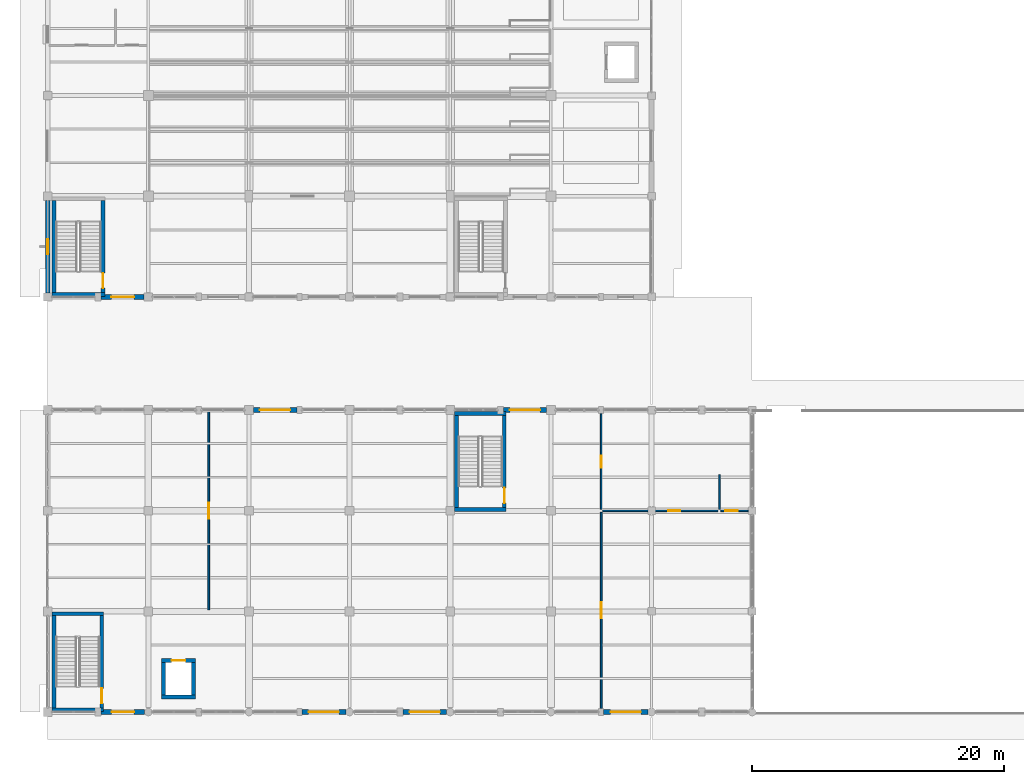
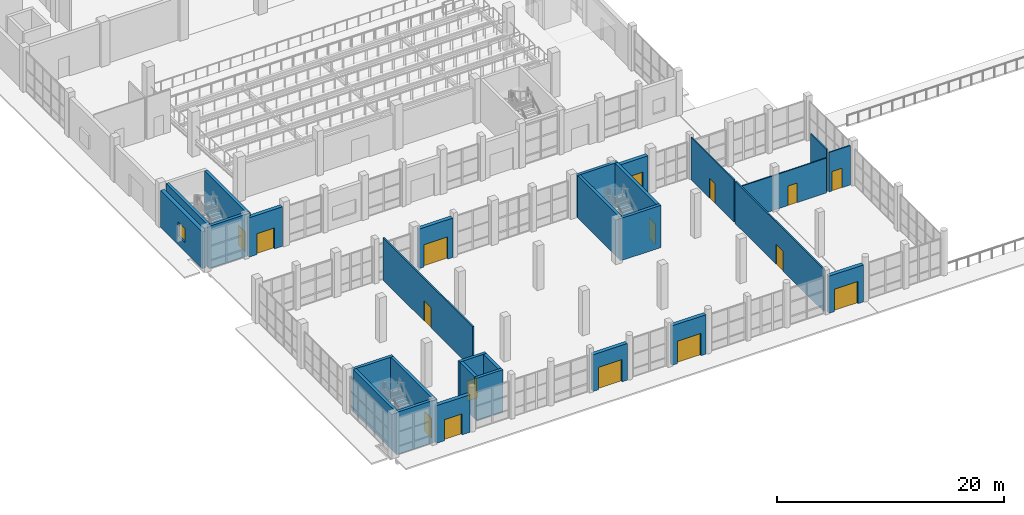
# One storey, part 120 of 156: 29 walls, 16 doors, 1 window, 17 openings.
"""IFC4 building model written with IfcOpenShell, lengths in metres."""

from ifc_helpers import new_model, si_unit, direction, frame, frame_2d, origin, place, context, subcontext, project, spatial, rectangle, extrude, material, layer, layer_set, type_object, element, fill, save


model = new_model("IFC4")

# Units and contexts
model_context = context("Model", 3, precision=1e-05, world=origin(), true_north=direction((0.0, 1.0)))
body_context = subcontext(model_context, "Body", "Model", "MODEL_VIEW")
ifc_project = project(units=[si_unit("LENGTHUNIT", "METRE"), si_unit("AREAUNIT", "SQUARE_METRE"), si_unit("VOLUMEUNIT", "CUBIC_METRE"), si_unit("PLANEANGLEUNIT", "RADIAN"), si_unit("MASSUNIT", "GRAM", prefix="KILO")], contexts=[model_context])

# Site, building, storey
site_placement = place(None, origin())
site = spatial("IfcSite", under=ifc_project, at=site_placement, CompositionType="ELEMENT")
building_placement = place(site_placement, origin())
building = spatial("IfcBuilding", under=site, at=building_placement, Name="Luwemba Playhouse", CompositionType="ELEMENT")
storey_placement = place(building_placement, origin())
storey = spatial("IfcBuildingStorey", under=building, at=storey_placement, Name="L00", CompositionType="ELEMENT", Elevation=0.0)

# Wall, opening, window
ifc_material_1 = material(Name="Clay facing brick obra vista masonry", Category="masonry")
ifc_layer_1 = layer(ifc_material_1, 0.3798828125)
ifc_layer_set_1 = layer_set([ifc_layer_1], Name="Clay facing brick obra vista masonry")
wall_type_1 = type_object("IfcWallType", Name="WAL-BRK-380", PredefinedType="SOLIDWALL", material=ifc_layer_set_1)
wall_1_placement = place(storey_placement, frame((4.0, 36.324951171875, 0.0), z_axis=(0.0, 0.0, 1.0), x_axis=(0.0, 1.0, 0.0)))
wall_1 = element("IfcWall", 1, at=wall_1_placement, inside=storey, type_object=wall_type_1, Name="L00 V1 exterior facade wall 0003", PredefinedType="SOLIDWALL", context=body_context, shape_type="SweptSolid", body=[
    extrude(rectangle(XDim=7.35009765625, YDim=0.3798828125, at=frame_2d((3.675048828125, 0.0))), origin(), (0.0, 0.0, 1.0), 3.985107421875),
])
opening_1_placement = place(wall_1_placement, frame((3.074951171875, 0.0, 0.949951171875)))
opening_1 = element("IfcOpeningElement", 2, at=opening_1_placement, cuts=wall_1, Name="Opening WN-08", PredefinedType="OPENING", context=body_context, shape_type="SweptSolid", body=[
    extrude(rectangle(XDim=1.199951171875, YDim=1.5, at=frame_2d((0.60009765625, 0.75))), frame((0.0, 0.199951171875, 0.0), z_axis=(0.0, -1.0, 0.0), x_axis=(1.0, 0.0, 0.0)), (0.0, 0.0, 1.0), 0.39990234375),
])
ifc_material_2 = material(Name="Solar-control double glazing in aluminium frame", Category="aluminium")
window_type = type_object("IfcWindowType", Name="WIN-WN-08", PartitioningType="SINGLE_PANEL", PredefinedType="WINDOW", material=ifc_material_2)
window_placement = place(opening_1_placement, origin())
window = element("IfcWindow", 3, at=window_placement, inside=storey, type_object=window_type, Name="L00 V1 scheduled window 0001", OverallHeight=1.5, OverallWidth=1.199951171875, PartitioningType="SINGLE_PANEL", PredefinedType="WINDOW", context=body_context, shape_type="SweptSolid", body=[
    extrude(rectangle(XDim=1.199951171875, YDim=1.5, at=frame_2d((0.60009765625, 0.75))), frame((0.0, 0.030029296875, 0.0), z_axis=(0.0, -1.0, 0.0), x_axis=(1.0, 0.0, 0.0)), (0.0, 0.0, 1.0), 0.06005859375),
])
fill(opening_1, window)

# Wall, opening, door
wall_2_placement = place(storey_placement, frame((11.675048828125, 36.0, 0.0), z_axis=(0.0, 0.0, 1.0), x_axis=(-1.0, 0.0, 0.0)))
wall_2 = element("IfcWall", 4, at=wall_2_placement, inside=storey, type_object=wall_type_1, Name="L00 V1 exterior facade wall 0013", PredefinedType="SOLIDWALL", context=body_context, shape_type="SweptSolid", body=[
    extrude(rectangle(XDim=3.425048828125, YDim=0.3798828125, at=frame_2d((1.71240234375, 0.0))), origin(), (0.0, 0.0, 1.0), 4.235107421875),
])
opening_2_placement = place(wall_2_placement, frame((0.8125, 0.0, 0.0)))
opening_2 = element("IfcOpeningElement", 5, at=opening_2_placement, cuts=wall_2, Name="Opening E15", PredefinedType="OPENING", context=body_context, shape_type="SweptSolid", body=[
    extrude(rectangle(XDim=1.800048828125, YDim=2.25, at=frame_2d((0.89990234375, 1.125))), frame((0.0, 0.199951171875, 0.0), z_axis=(0.0, -1.0, 0.0), x_axis=(1.0, 0.0, 0.0)), (0.0, 0.0, 1.0), 0.39990234375),
])
ifc_material_3 = material(Name="Architectural bronze-anodised aluminium and glazed leaf", Category="aluminium")
door_type_1 = type_object("IfcDoorType", Name="DR-EXIT-180", OperationType="NOTDEFINED", PredefinedType="DOOR", material=ifc_material_3)
door_1_placement = place(opening_2_placement, origin())
door_1 = element("IfcDoor", 6, at=door_1_placement, inside=storey, type_object=door_type_1, Name="Stair ST-01 final exit discharge door", OperationType="DOUBLE_DOOR_SINGLE_SWING", OverallHeight=2.25, OverallWidth=1.800048828125, PredefinedType="DOOR", context=body_context, shape_type="SweptSolid", body=[
    extrude(rectangle(XDim=1.800048828125, YDim=2.25, at=frame_2d((0.89990234375, 1.125))), frame((0.0, 0.02490234375, 0.0), z_axis=(0.0, -1.0, 0.0), x_axis=(1.0, 0.0, 0.0)), (0.0, 0.0, 1.0), 0.050048828125),
])
fill(opening_2, door_1)

wall_3_placement = place(storey_placement, frame((20.35009765625, 27.0, 0.0), z_axis=(0.0, 0.0, 1.0), x_axis=(1.0, 0.0, 0.0)))
wall_3 = element("IfcWall", 7, at=wall_3_placement, inside=storey, type_object=wall_type_1, Name="L00 V5W exterior facade wall 0069", PredefinedType="SOLIDWALL", context=body_context, shape_type="SweptSolid", body=[
    extrude(rectangle(XDim=3.449951171875, YDim=0.3798828125, at=frame_2d((1.72509765625, 0.0))), origin(), (0.0, 0.0, 1.0), 4.235107421875),
])
opening_3_placement = place(wall_3_placement, frame((0.52490234375, 0.0, 0.0)))
opening_3 = element("IfcOpeningElement", 8, at=opening_3_placement, cuts=wall_3, Name="Opening E04", PredefinedType="OPENING", context=body_context, shape_type="SweptSolid", body=[
    extrude(rectangle(XDim=2.39990234375, YDim=2.39990234375, at=frame_2d((1.199951171875, 1.199951171875))), frame((0.0, 0.199951171875, 0.0), z_axis=(0.0, -1.0, 0.0), x_axis=(1.0, 0.0, 0.0)), (0.0, 0.0, 1.0), 0.39990234375),
])
door_type_2 = type_object("IfcDoorType", Name="DR-EXIT-240", OperationType="NOTDEFINED", PredefinedType="DOOR", material=ifc_material_3)
door_2_placement = place(opening_3_placement, origin())
door_2 = element("IfcDoor", 9, at=door_2_placement, inside=storey, type_object=door_type_2, Name="Grand Foyer cloister final exit E04", OperationType="DOUBLE_DOOR_SINGLE_SWING", OverallHeight=2.39990234375, OverallWidth=2.39990234375, PredefinedType="DOOR", context=body_context, shape_type="SweptSolid", body=[
    extrude(rectangle(XDim=2.39990234375, YDim=2.39990234375, at=frame_2d((1.199951171875, 1.199951171875))), frame((0.0, 0.02490234375, 0.0), z_axis=(0.0, -1.0, 0.0), x_axis=(1.0, 0.0, 0.0)), (0.0, 0.0, 1.0), 0.050048828125),
])
fill(opening_3, door_2)

wall_4_placement = place(storey_placement, frame((40.22509765625, 27.0, 0.0), z_axis=(0.0, 0.0, 1.0), x_axis=(1.0, 0.0, 0.0)))
wall_4 = element("IfcWall", 10, at=wall_4_placement, inside=storey, type_object=wall_type_1, Name="L00 V5W exterior facade wall 0070", PredefinedType="SOLIDWALL", context=body_context, shape_type="SweptSolid", body=[
    extrude(rectangle(XDim=3.4248046875, YDim=0.3798828125, at=frame_2d((1.71240234375, 0.0))), origin(), (0.0, 0.0, 1.0), 3.985107421875),
])
opening_4_placement = place(wall_4_placement, frame((0.512451171875, 0.0, 0.0)))
opening_4 = element("IfcOpeningElement", 11, at=opening_4_placement, cuts=wall_4, Name="Opening E25", PredefinedType="OPENING", context=body_context, shape_type="SweptSolid", body=[
    extrude(rectangle(XDim=2.39990234375, YDim=2.39990234375, at=frame_2d((1.199951171875, 1.199951171875))), frame((0.0, 0.199951171875, 0.0), z_axis=(0.0, -1.0, 0.0), x_axis=(1.0, 0.0, 0.0)), (0.0, 0.0, 1.0), 0.39990234375),
])
door_3_placement = place(opening_4_placement, origin())
door_3 = element("IfcDoor", 12, at=door_3_placement, inside=storey, type_object=door_type_2, Name="Grand Foyer north cloister final exit E25", OperationType="DOUBLE_DOOR_SINGLE_SWING", OverallHeight=2.39990234375, OverallWidth=2.39990234375, PredefinedType="DOOR", context=body_context, shape_type="SweptSolid", body=[
    extrude(rectangle(XDim=2.39990234375, YDim=2.39990234375, at=frame_2d((1.199951171875, 1.199951171875))), frame((0.0, 0.02490234375, 0.0), z_axis=(0.0, -1.0, 0.0), x_axis=(1.0, 0.0, 0.0)), (0.0, 0.0, 1.0), 0.050048828125),
])
fill(opening_4, door_3)

wall_5_placement = place(storey_placement, frame((51.699951171875, 3.0, 0.0), z_axis=(0.0, 0.0, 1.0), x_axis=(-1.0, 0.0, 0.0)))
wall_5 = element("IfcWall", 13, at=wall_5_placement, inside=storey, type_object=wall_type_1, Name="L00 V5W exterior facade wall 0071", PredefinedType="SOLIDWALL", context=body_context, shape_type="SweptSolid", body=[
    extrude(rectangle(XDim=3.5, YDim=0.3798828125, at=frame_2d((1.75, 0.0))), origin(), (0.0, 0.0, 1.0), 3.985107421875),
])
opening_5_placement = place(wall_5_placement, frame((0.550048828125, 0.0, 0.0)))
opening_5 = element("IfcOpeningElement", 14, at=opening_5_placement, cuts=wall_5, Name="Opening E03", PredefinedType="OPENING", context=body_context, shape_type="SweptSolid", body=[
    extrude(rectangle(XDim=2.39990234375, YDim=2.39990234375, at=frame_2d((1.199951171875, 1.199951171875))), frame((0.0, 0.199951171875, 0.0), z_axis=(0.0, -1.0, 0.0), x_axis=(1.0, 0.0, 0.0)), (0.0, 0.0, 1.0), 0.39990234375),
])
door_4_placement = place(opening_5_placement, origin())
door_4 = element("IfcDoor", 15, at=door_4_placement, inside=storey, type_object=door_type_2, Name="Grand Foyer south boulevard final exit E03", OperationType="DOUBLE_DOOR_SINGLE_SWING", OverallHeight=2.39990234375, OverallWidth=2.39990234375, PredefinedType="DOOR", context=body_context, shape_type="SweptSolid", body=[
    extrude(rectangle(XDim=2.39990234375, YDim=2.39990234375, at=frame_2d((1.199951171875, 1.199951171875))), frame((0.0, 0.02490234375, 0.0), z_axis=(0.0, -1.0, 0.0), x_axis=(1.0, 0.0, 0.0)), (0.0, 0.0, 1.0), 0.050048828125),
])
fill(opening_5, door_4)

wall_6_placement = place(storey_placement, frame((35.699951171875, 3.0, 0.0), z_axis=(0.0, 0.0, 1.0), x_axis=(-1.0, 0.0, 0.0)))
wall_6 = element("IfcWall", 16, at=wall_6_placement, inside=storey, type_object=wall_type_1, Name="L00 V5W exterior facade wall 0072", PredefinedType="SOLIDWALL", context=body_context, shape_type="SweptSolid", body=[
    extrude(rectangle(XDim=3.449951171875, YDim=0.3798828125, at=frame_2d((1.72509765625, 0.0))), origin(), (0.0, 0.0, 1.0), 4.235107421875),
])
opening_6_placement = place(wall_6_placement, frame((0.52490234375, 0.0, 0.0)))
opening_6 = element("IfcOpeningElement", 17, at=opening_6_placement, cuts=wall_6, Name="Opening E02", PredefinedType="OPENING", context=body_context, shape_type="SweptSolid", body=[
    extrude(rectangle(XDim=2.39990234375, YDim=2.39990234375, at=frame_2d((1.199951171875, 1.199951171875))), frame((0.0, 0.199951171875, 0.0), z_axis=(0.0, -1.0, 0.0), x_axis=(1.0, 0.0, 0.0)), (0.0, 0.0, 1.0), 0.39990234375),
])
door_5_placement = place(opening_6_placement, origin())
door_5 = element("IfcDoor", 18, at=door_5_placement, inside=storey, type_object=door_type_2, Name="Grand Foyer main entrance E02", OperationType="DOUBLE_DOOR_SINGLE_SWING", OverallHeight=2.39990234375, OverallWidth=2.39990234375, PredefinedType="DOOR", context=body_context, shape_type="SweptSolid", body=[
    extrude(rectangle(XDim=2.39990234375, YDim=2.39990234375, at=frame_2d((1.199951171875, 1.199951171875))), frame((0.0, 0.02490234375, 0.0), z_axis=(0.0, -1.0, 0.0), x_axis=(1.0, 0.0, 0.0)), (0.0, 0.0, 1.0), 0.050048828125),
])
fill(opening_6, door_5)

wall_7_placement = place(storey_placement, frame((27.699951171875, 3.0, 0.0), z_axis=(0.0, 0.0, 1.0), x_axis=(-1.0, 0.0, 0.0)))
wall_7 = element("IfcWall", 19, at=wall_7_placement, inside=storey, type_object=wall_type_1, Name="L00 V5W exterior facade wall 0073", PredefinedType="SOLIDWALL", context=body_context, shape_type="SweptSolid", body=[
    extrude(rectangle(XDim=3.5, YDim=0.3798828125, at=frame_2d((1.75, 0.0))), origin(), (0.0, 0.0, 1.0), 3.93505859375),
])
opening_7_placement = place(wall_7_placement, frame((0.550048828125, 0.0, 0.0)))
opening_7 = element("IfcOpeningElement", 20, at=opening_7_placement, cuts=wall_7, Name="Opening E01", PredefinedType="OPENING", context=body_context, shape_type="SweptSolid", body=[
    extrude(rectangle(XDim=2.39990234375, YDim=2.39990234375, at=frame_2d((1.199951171875, 1.199951171875))), frame((0.0, 0.199951171875, 0.0), z_axis=(0.0, -1.0, 0.0), x_axis=(1.0, 0.0, 0.0)), (0.0, 0.0, 1.0), 0.39990234375),
])
door_6_placement = place(opening_7_placement, origin())
door_6 = element("IfcDoor", 21, at=door_6_placement, inside=storey, type_object=door_type_2, Name="Grand Foyer main entrance E01", OperationType="DOUBLE_DOOR_SINGLE_SWING", OverallHeight=2.39990234375, OverallWidth=2.39990234375, PredefinedType="DOOR", context=body_context, shape_type="SweptSolid", body=[
    extrude(rectangle(XDim=2.39990234375, YDim=2.39990234375, at=frame_2d((1.199951171875, 1.199951171875))), frame((0.0, 0.02490234375, 0.0), z_axis=(0.0, -1.0, 0.0), x_axis=(1.0, 0.0, 0.0)), (0.0, 0.0, 1.0), 0.050048828125),
])
fill(opening_7, door_6)

wall_8_placement = place(storey_placement, frame((11.699951171875, 3.0, 0.0), z_axis=(0.0, 0.0, 1.0), x_axis=(-1.0, 0.0, 0.0)))
wall_8 = element("IfcWall", 22, at=wall_8_placement, inside=storey, type_object=wall_type_1, Name="L00 V5W exterior facade wall 0074", PredefinedType="SOLIDWALL", context=body_context, shape_type="SweptSolid", body=[
    extrude(rectangle(XDim=3.449951171875, YDim=0.3798828125, at=frame_2d((1.72509765625, 0.0))), origin(), (0.0, 0.0, 1.0), 4.034912109375),
])
opening_8_placement = place(wall_8_placement, frame((0.824951171875, 0.0, 0.0)))
opening_8 = element("IfcOpeningElement", 23, at=opening_8_placement, cuts=wall_8, Name="Opening E18", PredefinedType="OPENING", context=body_context, shape_type="SweptSolid", body=[
    extrude(rectangle(XDim=1.800048828125, YDim=2.25, at=frame_2d((0.89990234375, 1.125))), frame((0.0, 0.199951171875, 0.0), z_axis=(0.0, -1.0, 0.0), x_axis=(1.0, 0.0, 0.0)), (0.0, 0.0, 1.0), 0.39990234375),
])
door_7_placement = place(opening_8_placement, origin())
door_7 = element("IfcDoor", 24, at=door_7_placement, inside=storey, type_object=door_type_1, Name="Stair ST-04 final exit discharge door", OperationType="DOUBLE_DOOR_SINGLE_SWING", OverallHeight=2.25, OverallWidth=1.800048828125, PredefinedType="DOOR", context=body_context, shape_type="SweptSolid", body=[
    extrude(rectangle(XDim=1.800048828125, YDim=2.25, at=frame_2d((0.89990234375, 1.125))), frame((0.0, 0.02490234375, 0.0), z_axis=(0.0, -1.0, 0.0), x_axis=(1.0, 0.0, 0.0)), (0.0, 0.0, 1.0), 0.050048828125),
])
fill(opening_8, door_7)

# Walls
ifc_material_4 = material(Name="Concrete C40/50", Category="concrete")
ifc_layer_2 = layer(ifc_material_4, 0.300048828125)
ifc_layer_set_2 = layer_set([ifc_layer_2], Name="Concrete C40/50")
wall_type_2 = type_object("IfcWallType", Name="WAL-CORE-300", PredefinedType="SHEAR", material=ifc_layer_set_2)
wall_9_placement = place(storey_placement, frame((4.35009765625, 36.18994140625, 0.0), z_axis=(0.0, 0.0, 1.0), x_axis=(1.0, 0.0, 0.0)))
element("IfcWall", 25, at=wall_9_placement, inside=storey, type_object=wall_type_2, Name="L00 ST-01 stair core wall S", PredefinedType="SHEAR", context=body_context, shape_type="SweptSolid", body=[
    extrude(rectangle(XDim=4.199951171875, YDim=0.300048828125, at=frame_2d((2.10009765625, 0.0))), origin(), (0.0, 0.0, 1.0), 4.550048828125),
])
wall_10_placement = place(storey_placement, frame((4.5, 36.340087890625, 0.0), z_axis=(0.0, 0.0, 1.0), x_axis=(0.0, 1.0, 0.0)))
element("IfcWall", 26, at=wall_10_placement, inside=storey, type_object=wall_type_2, Name="L00 ST-01 stair core wall W", PredefinedType="SHEAR", context=body_context, shape_type="SweptSolid", body=[
    extrude(rectangle(XDim=7.31982421875, YDim=0.300048828125, at=frame_2d((3.659912109375, 0.0))), origin(), (0.0, 0.0, 1.0), 4.550048828125),
])

# Wall, opening, door
wall_11_placement = place(storey_placement, frame((8.39990234375, 43.659912109375, 0.0), z_axis=(0.0, 0.0, 1.0), x_axis=(0.0, -1.0, 0.0)))
wall_11 = element("IfcWall", 27, at=wall_11_placement, inside=storey, type_object=wall_type_2, Name="L00 ST-01 stair core wall E", PredefinedType="SHEAR", context=body_context, shape_type="SweptSolid", body=[
    extrude(rectangle(XDim=7.31982421875, YDim=0.300048828125, at=frame_2d((3.659912109375, 0.0))), origin(), (0.0, 0.0, 1.0), 4.550048828125),
])
opening_9_placement = place(wall_11_placement, frame((5.77001953125, 0.0, 0.0)))
opening_9 = element("IfcOpeningElement", 28, at=opening_9_placement, cuts=wall_11, Name="Opening D-STAIR3", PredefinedType="OPENING", context=body_context, shape_type="SweptSolid", body=[
    extrude(rectangle(XDim=1.199951171875, YDim=2.14990234375, at=frame_2d((0.60009765625, 1.074951171875))), frame((0.0, 0.159912109375, 0.0), z_axis=(0.0, -1.0, 0.0), x_axis=(1.0, 0.0, 0.0)), (0.0, 0.0, 1.0), 0.320068359375),
])
ifc_material_5 = material(Name="Hardwood acoustic fire door leaf", Category="wood")
door_type_3 = type_object("IfcDoorType", Name="DR-STAIR-120", OperationType="NOTDEFINED", PredefinedType="DOOR", material=ifc_material_5)
door_8_placement = place(opening_9_placement, origin())
door_8 = element("IfcDoor", 29, at=door_8_placement, inside=storey, type_object=door_type_3, Name="L00 ST-01 protected stair entry door", OperationType="SINGLE_SWING_LEFT", OverallHeight=2.14990234375, OverallWidth=1.199951171875, PredefinedType="DOOR", context=body_context, shape_type="SweptSolid", body=[
    extrude(rectangle(XDim=1.199951171875, YDim=2.14990234375, at=frame_2d((0.60009765625, 1.074951171875))), frame((0.0, 0.02490234375, 0.0), z_axis=(0.0, -1.0, 0.0), x_axis=(1.0, 0.0, 0.0)), (0.0, 0.0, 1.0), 0.050048828125),
])
fill(opening_9, door_8)

# Walls
for number, where, z_axis, x_axis, name in (
    (30, (4.35009765625, 3.18994140625, 0.0), (0.0, 0.0, 1.0), (1.0, 0.0, 0.0), "L00 ST-04 stair core wall S"),
    (31, (8.449951171875, 10.81005859375, 0.0), (0.0, 0.0, 1.0), (-1.0, 0.0, 0.0), "L00 ST-04 stair core wall N"),
):
    element("IfcWall", number, at=place(storey_placement, frame(where, z_axis=z_axis, x_axis=x_axis)), inside=storey, type_object=wall_type_2, Name=name, PredefinedType="SHEAR", context=body_context, shape_type="SweptSolid", body=[
        extrude(rectangle(XDim=4.099853515625, YDim=0.300048828125, at=frame_2d((2.0498046875, 0.0))), origin(), (0.0, 0.0, 1.0), 4.550048828125),
    ])
wall_12_placement = place(storey_placement, frame((4.5, 3.340087890625, 0.0), z_axis=(0.0, 0.0, 1.0), x_axis=(0.0, 1.0, 0.0)))
element("IfcWall", 32, at=wall_12_placement, inside=storey, type_object=wall_type_2, Name="L00 ST-04 stair core wall W", PredefinedType="SHEAR", context=body_context, shape_type="SweptSolid", body=[
    extrude(rectangle(XDim=7.31982421875, YDim=0.300048828125, at=frame_2d((3.659912109375, 0.0))), origin(), (0.0, 0.0, 1.0), 4.550048828125),
])

# Wall, opening, door
wall_13_placement = place(storey_placement, frame((8.300048828125, 10.659912109375, 0.0), z_axis=(0.0, 0.0, 1.0), x_axis=(0.0, -1.0, 0.0)))
wall_13 = element("IfcWall", 33, at=wall_13_placement, inside=storey, type_object=wall_type_2, Name="L00 ST-04 stair core wall E", PredefinedType="SHEAR", context=body_context, shape_type="SweptSolid", body=[
    extrude(rectangle(XDim=7.31982421875, YDim=0.300048828125, at=frame_2d((3.659912109375, 0.0))), origin(), (0.0, 0.0, 1.0), 4.550048828125),
])
opening_10_placement = place(wall_13_placement, frame((5.77001953125, 0.0, 0.0)))
opening_10 = element("IfcOpeningElement", 34, at=opening_10_placement, cuts=wall_13, Name="Opening D-STAIR3", PredefinedType="OPENING", context=body_context, shape_type="SweptSolid", body=[
    extrude(rectangle(XDim=1.199951171875, YDim=2.14990234375, at=frame_2d((0.60009765625, 1.074951171875))), frame((0.0, 0.159912109375, 0.0), z_axis=(0.0, -1.0, 0.0), x_axis=(1.0, 0.0, 0.0)), (0.0, 0.0, 1.0), 0.320068359375),
])
door_9_placement = place(opening_10_placement, origin())
door_9 = element("IfcDoor", 35, at=door_9_placement, inside=storey, type_object=door_type_3, Name="L00 ST-04 protected stair entry door", OperationType="SINGLE_SWING_RIGHT", OverallHeight=2.14990234375, OverallWidth=1.199951171875, PredefinedType="DOOR", context=body_context, shape_type="SweptSolid", body=[
    extrude(rectangle(XDim=1.199951171875, YDim=2.14990234375, at=frame_2d((0.60009765625, 1.074951171875))), frame((0.0, 0.02490234375, 0.0), z_axis=(0.0, -1.0, 0.0), x_axis=(1.0, 0.0, 0.0)), (0.0, 0.0, 1.0), 0.050048828125),
])
fill(opening_10, door_9)

# Walls
for number, where, z_axis, x_axis, name in (
    (36, (36.35009765625, 19.110107421875, 0.0), (0.0, 0.0, 1.0), (1.0, 0.0, 0.0), "L00 ST-13 stair core wall S"),
    (37, (40.449951171875, 26.72998046875, 0.0), (0.0, 0.0, 1.0), (-1.0, 0.0, 0.0), "L00 ST-13 stair core wall N"),
):
    element("IfcWall", number, at=place(storey_placement, frame(where, z_axis=z_axis, x_axis=x_axis)), inside=storey, type_object=wall_type_2, Name=name, PredefinedType="SHEAR", context=body_context, shape_type="SweptSolid", body=[
        extrude(rectangle(XDim=4.099853515625, YDim=0.300048828125, at=frame_2d((2.0498046875, 0.0))), origin(), (0.0, 0.0, 1.0), 4.550048828125),
    ])
wall_14_placement = place(storey_placement, frame((36.5, 19.260009765625, 0.0), z_axis=(0.0, 0.0, 1.0), x_axis=(0.0, 1.0, 0.0)))
element("IfcWall", 38, at=wall_14_placement, inside=storey, type_object=wall_type_2, Name="L00 ST-13 stair core wall W", PredefinedType="SHEAR", context=body_context, shape_type="SweptSolid", body=[
    extrude(rectangle(XDim=7.320068359375, YDim=0.300048828125, at=frame_2d((3.66015625, 0.0))), origin(), (0.0, 0.0, 1.0), 4.550048828125),
])

# Wall, opening, door
wall_15_placement = place(storey_placement, frame((40.300048828125, 26.580078125, 0.0), z_axis=(0.0, 0.0, 1.0), x_axis=(0.0, -1.0, 0.0)))
wall_15 = element("IfcWall", 39, at=wall_15_placement, inside=storey, type_object=wall_type_2, Name="L00 ST-13 stair core wall E", PredefinedType="SHEAR", context=body_context, shape_type="SweptSolid", body=[
    extrude(rectangle(XDim=7.320068359375, YDim=0.300048828125, at=frame_2d((3.66015625, 0.0))), origin(), (0.0, 0.0, 1.0), 4.550048828125),
])
opening_11_placement = place(wall_15_placement, frame((5.77001953125, 0.0, 0.0)))
opening_11 = element("IfcOpeningElement", 40, at=opening_11_placement, cuts=wall_15, Name="Opening D-STAIR3", PredefinedType="OPENING", context=body_context, shape_type="SweptSolid", body=[
    extrude(rectangle(XDim=1.199951171875, YDim=2.14990234375, at=frame_2d((0.60009765625, 1.074951171875))), frame((0.0, 0.159912109375, 0.0), z_axis=(0.0, -1.0, 0.0), x_axis=(1.0, 0.0, 0.0)), (0.0, 0.0, 1.0), 0.320068359375),
])
door_10_placement = place(opening_11_placement, origin())
door_10 = element("IfcDoor", 41, at=door_10_placement, inside=storey, type_object=door_type_3, Name="L00 ST-13 protected stair entry door", OperationType="SINGLE_SWING_LEFT", OverallHeight=2.14990234375, OverallWidth=1.199951171875, PredefinedType="DOOR", context=body_context, shape_type="SweptSolid", body=[
    extrude(rectangle(XDim=1.199951171875, YDim=2.14990234375, at=frame_2d((0.60009765625, 1.074951171875))), frame((0.0, 0.02490234375, 0.0), z_axis=(0.0, -1.0, 0.0), x_axis=(1.0, 0.0, 0.0)), (0.0, 0.0, 1.0), 0.050048828125),
])
fill(opening_11, door_10)

# Wall
wall_16_placement = place(storey_placement, frame((13.050048828125, 4.199951171875, 0.0), z_axis=(0.0, 0.0, 1.0), x_axis=(1.0, 0.0, 0.0)))
element("IfcWall", 42, at=wall_16_placement, inside=storey, type_object=wall_type_2, Name="L00 Lift LF-P4 shaft wall S", PredefinedType="SHEAR", context=body_context, shape_type="SweptSolid", body=[
    extrude(rectangle(XDim=2.699951171875, YDim=0.300048828125, at=frame_2d((1.35009765625, 0.0))), origin(), (0.0, 0.0, 1.0), 4.550048828125),
])

# Wall, opening, door
wall_17_placement = place(storey_placement, frame((15.75, 7.10009765625, 0.0), z_axis=(0.0, 0.0, 1.0), x_axis=(-1.0, 0.0, 0.0)))
wall_17 = element("IfcWall", 43, at=wall_17_placement, inside=storey, type_object=wall_type_2, Name="L00 Lift LF-P4 shaft wall N", PredefinedType="SHEAR", context=body_context, shape_type="SweptSolid", body=[
    extrude(rectangle(XDim=2.699951171875, YDim=0.300048828125, at=frame_2d((1.35009765625, 0.0))), origin(), (0.0, 0.0, 1.0), 4.550048828125),
])
opening_12_placement = place(wall_17_placement, frame((0.800048828125, 0.0, 0.0)))
opening_12 = element("IfcOpeningElement", 44, at=opening_12_placement, cuts=wall_17, Name="Opening LD-01", PredefinedType="OPENING", context=body_context, shape_type="SweptSolid", body=[
    extrude(rectangle(XDim=1.10009765625, YDim=2.14990234375, at=frame_2d((0.550048828125, 1.074951171875))), frame((0.0, 0.159912109375, 0.0), z_axis=(0.0, -1.0, 0.0), x_axis=(1.0, 0.0, 0.0)), (0.0, 0.0, 1.0), 0.320068359375),
])
ifc_material_6 = material(Name="Stainless steel lift landing doors", Category="steel")
door_type_4 = type_object("IfcDoorType", Name="DR-LIFT-110", OperationType="NOTDEFINED", PredefinedType="DOOR", material=ifc_material_6)
door_11_placement = place(opening_12_placement, origin())
door_11 = element("IfcDoor", 45, at=door_11_placement, inside=storey, type_object=door_type_4, Name="L00 Lift LF-P4 landing door", OperationType="DOUBLE_DOOR_SLIDING", OverallHeight=2.14990234375, OverallWidth=1.10009765625, PredefinedType="DOOR", context=body_context, shape_type="SweptSolid", body=[
    extrude(rectangle(XDim=1.10009765625, YDim=2.14990234375, at=frame_2d((0.550048828125, 1.074951171875))), frame((0.0, 0.02490234375, 0.0), z_axis=(0.0, -1.0, 0.0), x_axis=(1.0, 0.0, 0.0)), (0.0, 0.0, 1.0), 0.050048828125),
])
fill(opening_12, door_11)

# Walls
for number, where, z_axis, x_axis, name in (
    (46, (13.199951171875, 4.35009765625, 0.0), (0.0, 0.0, 1.0), (0.0, 1.0, 0.0), "L00 Lift LF-P4 shaft wall W"),
    (47, (15.60009765625, 6.949951171875, 0.0), (0.0, 0.0, 1.0), (0.0, -1.0, 0.0), "L00 Lift LF-P4 shaft wall E"),
):
    element("IfcWall", number, at=place(storey_placement, frame(where, z_axis=z_axis, x_axis=x_axis)), inside=storey, type_object=wall_type_2, Name=name, PredefinedType="SHEAR", context=body_context, shape_type="SweptSolid", body=[
        extrude(rectangle(XDim=2.599853515625, YDim=0.300048828125, at=frame_2d((1.2998046875, 0.0))), origin(), (0.0, 0.0, 1.0), 4.550048828125),
    ])

# Wall, opening, door
ifc_material_7 = material(Name="Moisture-resistant sanitary partition", Category="gypsum")
ifc_layer_3 = layer(ifc_material_7, 0.1201171875)
ifc_layer_set_3 = layer_set([ifc_layer_3], Name="Moisture-resistant sanitary partition")
wall_type_3 = type_object("IfcWallType", Name="WAL-INT-120", PredefinedType="PARTITIONING", material=ifc_layer_set_3)
wall_18_placement = place(storey_placement, frame((48.0, 19.1201171875, 0.0), z_axis=(0.0, 0.0, 1.0), x_axis=(0.0, 1.0, 0.0)))
wall_18 = element("IfcWall", 48, at=wall_18_placement, inside=storey, type_object=wall_type_3, Name="L00 V5W interior partition 0097", PredefinedType="PARTITIONING", context=body_context, shape_type="SweptSolid", body=[
    extrude(rectangle(XDim=7.5849609375, YDim=0.1201171875, at=frame_2d((3.79248046875, 0.0))), origin(), (0.0, 0.0, 1.0), 4.550048828125),
])
opening_13_placement = place(wall_18_placement, frame((3.3173828125, 0.0, 0.0)))
opening_13 = element("IfcOpeningElement", 49, at=opening_13_placement, cuts=wall_18, Name="Opening D-WC1", PredefinedType="OPENING", context=body_context, shape_type="SweptSolid", body=[
    extrude(rectangle(XDim=0.949951171875, YDim=2.10009765625, at=frame_2d((0.47509765625, 1.050048828125))), frame((0.0, 0.070068359375, 0.0), z_axis=(0.0, -1.0, 0.0), x_axis=(1.0, 0.0, 0.0)), (0.0, 0.0, 1.0), 0.14013671875),
])
ifc_material_8 = material(Name="Moisture-resistant laminate door", Category="wood")
door_type_5 = type_object("IfcDoorType", Name="DR-WC-095", OperationType="NOTDEFINED", PredefinedType="DOOR", material=ifc_material_8)
door_12_placement = place(opening_13_placement, origin())
door_12 = element("IfcDoor", 50, at=door_12_placement, inside=storey, type_object=door_type_5, Name="L00 Grand Ceremonial Entrance Foyer to Grand Foyer Public Toilets door", OperationType="SINGLE_SWING_RIGHT", OverallHeight=2.10009765625, OverallWidth=0.949951171875, PredefinedType="DOOR", context=body_context, shape_type="SweptSolid", body=[
    extrude(rectangle(XDim=0.949951171875, YDim=2.10009765625, at=frame_2d((0.47509765625, 1.050048828125))), frame((0.0, 0.02490234375, 0.0), z_axis=(0.0, -1.0, 0.0), x_axis=(1.0, 0.0, 0.0)), (0.0, 0.0, 1.0), 0.050048828125),
])
fill(opening_13, door_12)

wall_19_placement = place(storey_placement, frame((48.1201171875, 19.0, 0.0), z_axis=(0.0, 0.0, 1.0), x_axis=(1.0, 0.0, 0.0)))
wall_19 = element("IfcWall", 51, at=wall_19_placement, inside=storey, type_object=wall_type_3, Name="L00 V5W interior partition 0098", PredefinedType="PARTITIONING", context=body_context, shape_type="SweptSolid", body=[
    extrude(rectangle(XDim=9.159912109375, YDim=0.1201171875, at=frame_2d((4.580078125, 0.0))), origin(), (0.0, 0.0, 1.0), 3.735107421875),
])
opening_14_placement = place(wall_19_placement, frame((5.2041015625, 0.0, 0.0)))
opening_14 = element("IfcOpeningElement", 52, at=opening_14_placement, cuts=wall_19, Name="Opening D-WC1", PredefinedType="OPENING", context=body_context, shape_type="SweptSolid", body=[
    extrude(rectangle(XDim=0.949951171875, YDim=2.10009765625, at=frame_2d((0.47509765625, 1.050048828125))), frame((0.0, 0.070068359375, 0.0), z_axis=(0.0, -1.0, 0.0), x_axis=(1.0, 0.0, 0.0)), (0.0, 0.0, 1.0), 0.14013671875),
])
door_13_placement = place(opening_14_placement, origin())
door_13 = element("IfcDoor", 53, at=door_13_placement, inside=storey, type_object=door_type_5, Name="L00 Playhouse Main Box Office and Ticketing Hall to Grand Foyer Public Toilets door", OperationType="SINGLE_SWING_LEFT", OverallHeight=2.10009765625, OverallWidth=0.949951171875, PredefinedType="DOOR", context=body_context, shape_type="SweptSolid", body=[
    extrude(rectangle(XDim=0.949951171875, YDim=2.10009765625, at=frame_2d((0.47509765625, 1.050048828125))), frame((0.0, 0.02490234375, 0.0), z_axis=(0.0, -1.0, 0.0), x_axis=(1.0, 0.0, 0.0)), (0.0, 0.0, 1.0), 0.050048828125),
])
fill(opening_14, door_13)

wall_20_placement = place(storey_placement, frame((57.52001953125, 19.0, 0.0), z_axis=(0.0, 0.0, 1.0), x_axis=(1.0, 0.0, 0.0)))
wall_20 = element("IfcWall", 54, at=wall_20_placement, inside=storey, type_object=wall_type_3, Name="L00 V5W interior partition 0099", PredefinedType="PARTITIONING", context=body_context, shape_type="SweptSolid", body=[
    extrude(rectangle(XDim=2.159912109375, YDim=0.1201171875, at=frame_2d((1.080078125, 0.0))), origin(), (0.0, 0.0, 1.0), 4.2451171875),
])
opening_15_placement = place(wall_20_placement, frame((0.32080078125, 0.0, 0.0)))
opening_15 = element("IfcOpeningElement", 55, at=opening_15_placement, cuts=wall_20, Name="Opening D-AWC", PredefinedType="OPENING", context=body_context, shape_type="SweptSolid", body=[
    extrude(rectangle(XDim=1.0, YDim=2.10009765625, at=frame_2d((0.5, 1.050048828125))), frame((0.0, 0.070068359375, 0.0), z_axis=(0.0, -1.0, 0.0), x_axis=(1.0, 0.0, 0.0)), (0.0, 0.0, 1.0), 0.14013671875),
])
ifc_material_9 = material(Name="Accessible WC outward-assisted timber door", Category="wood")
door_type_6 = type_object("IfcDoorType", Name="DR-AWC-100", OperationType="NOTDEFINED", PredefinedType="DOOR", material=ifc_material_9)
door_14_placement = place(opening_15_placement, origin())
door_14 = element("IfcDoor", 56, at=door_14_placement, inside=storey, type_object=door_type_6, Name="L00 Playhouse Main Box Office and Ticketing Hall to Grand Foyer Accessible WC door", OperationType="SINGLE_SWING_RIGHT", OverallHeight=2.10009765625, OverallWidth=1.0, PredefinedType="DOOR", context=body_context, shape_type="SweptSolid", body=[
    extrude(rectangle(XDim=1.0, YDim=2.10009765625, at=frame_2d((0.5, 1.050048828125))), frame((0.0, 0.02490234375, 0.0), z_axis=(0.0, -1.0, 0.0), x_axis=(1.0, 0.0, 0.0)), (0.0, 0.0, 1.0), 0.050048828125),
])
fill(opening_15, door_14)

# Wall
wall_21_placement = place(storey_placement, frame((57.39990234375, 19.1201171875, 0.0), z_axis=(0.0, 0.0, 1.0), x_axis=(0.0, 1.0, 0.0)))
element("IfcWall", 57, at=wall_21_placement, inside=storey, type_object=wall_type_3, Name="L00 V5W interior partition 0100", PredefinedType="PARTITIONING", context=body_context, shape_type="SweptSolid", body=[
    extrude(rectangle(XDim=2.759765625, YDim=0.1201171875, at=frame_2d((1.3798828125, 0.0))), origin(), (0.0, 0.0, 1.0), 4.550048828125),
])

# Wall, opening, door
ifc_material_10 = material(Name="Acoustic gypsum stud partition", Category="gypsum")
ifc_layer_4 = layer(ifc_material_10, 0.14990234375)
ifc_layer_set_4 = layer_set([ifc_layer_4], Name="Acoustic gypsum stud partition")
wall_type_4 = type_object("IfcWallType", Name="WAL-INT-150", PredefinedType="PARTITIONING", material=ifc_layer_set_4)
wall_22_placement = place(storey_placement, frame((48.0, 3.294921875, 0.0), z_axis=(0.0, 0.0, 1.0), x_axis=(0.0, 1.0, 0.0)))
wall_22 = element("IfcWall", 58, at=wall_22_placement, inside=storey, type_object=wall_type_4, Name="L00 V5W interior partition 0095", PredefinedType="PARTITIONING", context=body_context, shape_type="SweptSolid", body=[
    extrude(rectangle(XDim=15.5849609375, YDim=0.14990234375, at=frame_2d((7.79248046875, 0.0))), origin(), (0.0, 0.0, 1.0), 4.550048828125),
])
opening_16_placement = place(wall_22_placement, frame((7.16748046875, 0.0, 0.0)))
opening_16 = element("IfcOpeningElement", 59, at=opening_16_placement, cuts=wall_22, Name="Opening D-IN1", PredefinedType="OPENING", context=body_context, shape_type="SweptSolid", body=[
    extrude(rectangle(XDim=1.25, YDim=2.14990234375, at=frame_2d((0.625, 1.074951171875))), frame((0.0, 0.0849609375, 0.0), z_axis=(0.0, -1.0, 0.0), x_axis=(1.0, 0.0, 0.0)), (0.0, 0.0, 1.0), 0.169921875),
])
ifc_material_11 = material(Name="Solid hardwood interior door", Category="wood")
door_type_7 = type_object("IfcDoorType", Name="DR-INT-125", OperationType="NOTDEFINED", PredefinedType="DOOR", material=ifc_material_11)
door_15_placement = place(opening_16_placement, origin())
door_15 = element("IfcDoor", 60, at=door_15_placement, inside=storey, type_object=door_type_7, Name="L00 Grand Ceremonial Entrance Foyer to Playhouse Main Box Office and Ticketing Hall door", OperationType="SINGLE_SWING_RIGHT", OverallHeight=2.14990234375, OverallWidth=1.25, PredefinedType="DOOR", context=body_context, shape_type="SweptSolid", body=[
    extrude(rectangle(XDim=1.25, YDim=2.14990234375, at=frame_2d((0.625, 1.074951171875))), frame((0.0, 0.02490234375, 0.0), z_axis=(0.0, -1.0, 0.0), x_axis=(1.0, 0.0, 0.0)), (0.0, 0.0, 1.0), 0.050048828125),
])
fill(opening_16, door_15)

wall_23_placement = place(storey_placement, frame((16.800048828125, 11.1201171875, 0.0), z_axis=(0.0, 0.0, 1.0), x_axis=(0.0, 1.0, 0.0)))
wall_23 = element("IfcWall", 61, at=wall_23_placement, inside=storey, type_object=wall_type_4, Name="L00 V5W interior partition 0096", PredefinedType="PARTITIONING", context=body_context, shape_type="SweptSolid", body=[
    extrude(rectangle(XDim=15.759765625, YDim=0.14990234375, at=frame_2d((7.8798828125, 0.0))), origin(), (0.0, 0.0, 1.0), 4.550048828125),
])
opening_17_placement = place(wall_23_placement, frame((7.2548828125, 0.0, 0.0)))
opening_17 = element("IfcOpeningElement", 62, at=opening_17_placement, cuts=wall_23, Name="Opening D-IN1", PredefinedType="OPENING", context=body_context, shape_type="SweptSolid", body=[
    extrude(rectangle(XDim=1.25, YDim=2.14990234375, at=frame_2d((0.625, 1.074951171875))), frame((0.0, 0.0849609375, 0.0), z_axis=(0.0, -1.0, 0.0), x_axis=(1.0, 0.0, 0.0)), (0.0, 0.0, 1.0), 0.169921875),
])
door_16_placement = place(opening_17_placement, origin())
door_16 = element("IfcDoor", 63, at=door_16_placement, inside=storey, type_object=door_type_7, Name="L00 Grand Ceremonial Entrance Foyer to Patrons Lounge and Cloakroom door", OperationType="SINGLE_SWING_LEFT", OverallHeight=2.14990234375, OverallWidth=1.25, PredefinedType="DOOR", context=body_context, shape_type="SweptSolid", body=[
    extrude(rectangle(XDim=1.25, YDim=2.14990234375, at=frame_2d((0.625, 1.074951171875))), frame((0.0, 0.02490234375, 0.0), z_axis=(0.0, -1.0, 0.0), x_axis=(1.0, 0.0, 0.0)), (0.0, 0.0, 1.0), 0.050048828125),
])
fill(opening_17, door_16)

save(model, "model.ifc")
